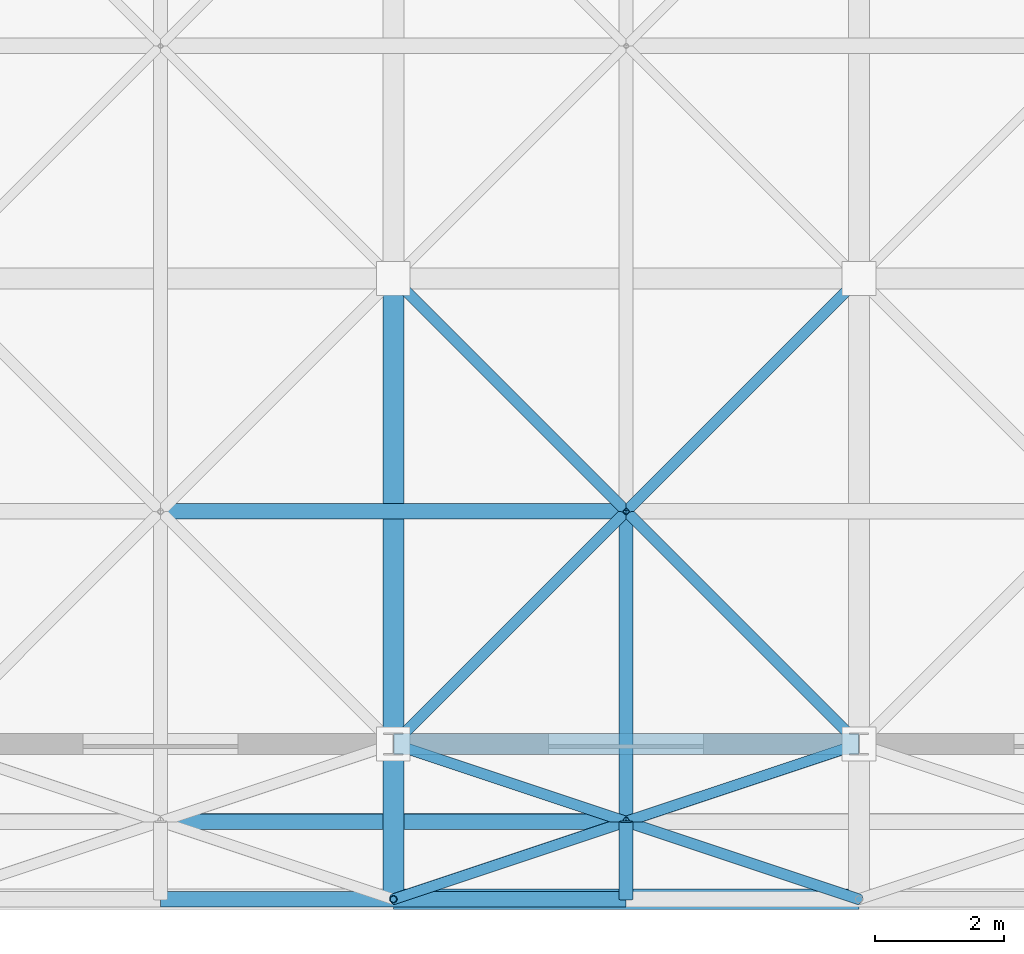
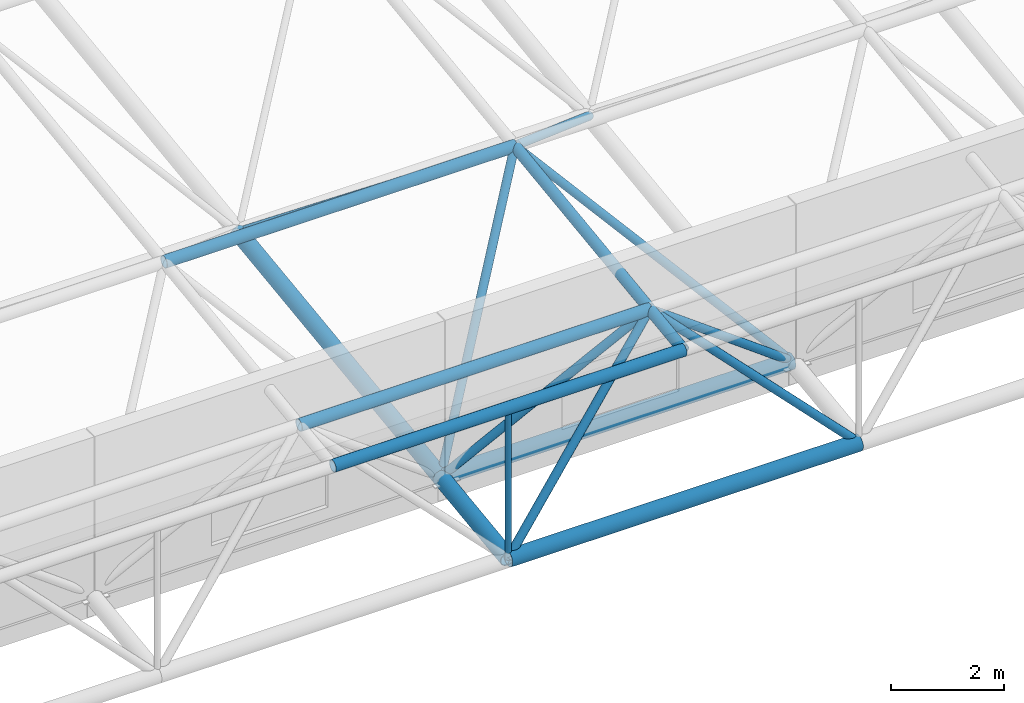
# One storey, part 46 of 103: 18 members.
"""IFC4 building model written with IfcOpenShell, lengths in metres."""

from ifc_helpers import new_model, si_unit, direction, frame, origin, origin_2d, place, context, subcontext, project, spatial, hollow_circle, extrude, material, material_profile, profile_set, type_object, element, save


model = new_model("IFC4")

# Units and contexts
model_context = context("Model", 3, precision=1e-05, world=origin(), true_north=direction((0.0, 1.0)))
body_context = subcontext(model_context, "Body", "Model", "MODEL_VIEW")
ifc_project = project(units=[si_unit("LENGTHUNIT", "METRE"), si_unit("AREAUNIT", "SQUARE_METRE"), si_unit("VOLUMEUNIT", "CUBIC_METRE"), si_unit("PLANEANGLEUNIT", "RADIAN"), si_unit("MASSUNIT", "GRAM", prefix="KILO")], contexts=[model_context])

# Site, building, storey
site_placement = place(None, origin())
site = spatial("IfcSite", under=ifc_project, at=site_placement, CompositionType="ELEMENT")
building_placement = place(site_placement, origin())
building = spatial("IfcBuilding", under=site, at=building_placement, Name="Thalmaran Polytechnic", CompositionType="ELEMENT")
storey_placement = place(building_placement, frame((0.0, 0.0, 14.39990234375)))
storey = spatial("IfcBuildingStorey", under=building, at=storey_placement, Name="L03", CompositionType="ELEMENT", Elevation=14.39990234375)

# Members
ifc_material = material(Name="Steel S355", Category="steel")
ifc_material_profile_1 = material_profile(ifc_material, hollow_circle(Radius=0.161865234375, WallThickness=0.012451171875, at=origin_2d()), Name="CHS 323.9x12.5")
ifc_profile_set_1 = profile_set([ifc_material_profile_1], Name="Steel S355")
member_type_1 = type_object("IfcMemberType", Name="MB-SFC0", PredefinedType="CHORD", material=ifc_profile_set_1)
member_1_placement = place(storey_placement, frame((136.800048828125, 0.0, 0.380126953125), z_axis=(1.0, 0.0, 0.0), x_axis=(0.0, 1.0, 0.0)))
element("IfcMember", 1, at=member_1_placement, inside=storey, type_object=member_type_1, Name="Space-Frame Bottom Chord X (4,1)", PredefinedType="CHORD", context=body_context, shape_type="SweptSolid", body=[
    extrude(hollow_circle(Radius=0.161865234375, WallThickness=0.012451171875, at=origin_2d()), origin(), (0.0, 0.0, 1.0), 7.199951171875),
])
ifc_material_profile_2 = material_profile(ifc_material, hollow_circle(Radius=0.122314453125, WallThickness=0.010009765625, at=origin_2d()), Name="CHS 244.5x10.0")
ifc_profile_set_2 = profile_set([ifc_material_profile_2], Name="Steel S355")
member_type_2 = type_object("IfcMemberType", Name="MB-SFC1", PredefinedType="CHORD", material=ifc_profile_set_2)
for number, where, z_axis, x_axis, name in (
    (2, (133.199951171875, -2.39990234375, 3.334228515625), (1.0, 0.0, 0.0), (0.0, 1.0, 0.0), "Space-Frame Top Chord X (4,0)"),
    (3, (133.199951171875, -1.199951171875, 3.4921875), (1.0, 0.0, 0.0), (0.0, 1.0, 0.0), "Space-Frame Top Chord X (4,1)"),
    (4, (133.199951171875, 3.60009765625, 4.1240234375), (1.0, 0.0, 0.0), (0.0, 1.0, 0.0), "Space-Frame Top Chord X (4,2)"),
):
    element("IfcMember", number, at=place(storey_placement, frame(where, z_axis=z_axis, x_axis=x_axis)), inside=storey, type_object=member_type_2, Name=name, PredefinedType="CHORD", context=body_context, shape_type="SweptSolid", body=[
        extrude(hollow_circle(Radius=0.122314453125, WallThickness=0.010009765625, at=origin_2d()), origin(), (0.0, 0.0, 1.0), 7.199951171875),
    ])
ifc_material_profile_3 = material_profile(ifc_material, hollow_circle(Radius=0.109619140625, WallThickness=0.010009765625, at=origin_2d()), Name="CHS 219.1x10.0")
ifc_profile_set_3 = profile_set([ifc_material_profile_3], Name="Steel S355")
member_type_3 = type_object("IfcMemberType", Name="MB-SFC2", PredefinedType="CHORD", material=ifc_profile_set_3)
member_2_placement = place(storey_placement, frame((140.39990234375, -2.39990234375, 3.334228515625), z_axis=(0.0, 0.99144674145, 0.130511910828), x_axis=(-1.0, 0.0, 0.0)))
element("IfcMember", 5, at=member_2_placement, inside=storey, type_object=member_type_3, Name="Space-Frame Top Chord Y (5,0)", PredefinedType="CHORD", context=body_context, shape_type="SweptSolid", body=[
    extrude(hollow_circle(Radius=0.109619140625, WallThickness=0.010009765625, at=origin_2d()), origin(), (0.0, 0.0, 1.0), 1.210205078125),
])
member_3_placement = place(storey_placement, frame((140.39990234375, -1.199951171875, 3.4921875), z_axis=(0.0, 0.991447600372, 0.130505385777), x_axis=(-1.0, 0.0, 0.0)))
element("IfcMember", 6, at=member_3_placement, inside=storey, type_object=member_type_3, Name="Space-Frame Top Chord Y (5,1)", PredefinedType="CHORD", context=body_context, shape_type="SweptSolid", body=[
    extrude(hollow_circle(Radius=0.109619140625, WallThickness=0.010009765625, at=origin_2d()), origin(), (0.0, 0.0, 1.0), 4.841552734375),
])
ifc_material_profile_4 = material_profile(ifc_material, hollow_circle(Radius=0.161865234375, WallThickness=0.012451171875, at=origin_2d()), Name="CHS 323.9x12.5")
ifc_profile_set_4 = profile_set([ifc_material_profile_4], Name="Steel S355")
member_type_4 = type_object("IfcMemberType", Name="MB-SFC4", PredefinedType="CHORD", material=ifc_profile_set_4)
member_4_placement = place(storey_placement, frame((136.800048828125, -2.39990234375, 0.064208984375), z_axis=(1.0, 0.0, 0.0), x_axis=(0.0, 1.0, 0.0)))
element("IfcMember", 7, at=member_4_placement, inside=storey, type_object=member_type_4, Name="Space-Frame Bottom Chord X (4,0)", PredefinedType="CHORD", context=body_context, shape_type="SweptSolid", body=[
    extrude(hollow_circle(Radius=0.161865234375, WallThickness=0.012451171875, at=origin_2d()), origin(), (0.0, 0.0, 1.0), 7.199951171875),
])
member_5_placement = place(storey_placement, frame((136.800048828125, -2.39990234375, 0.064208984375), z_axis=(0.0, 0.99144674145, 0.130511910828), x_axis=(-1.0, 0.0, 0.0)))
element("IfcMember", 8, at=member_5_placement, inside=storey, type_object=member_type_4, Name="Space-Frame Bottom Chord Y (4,0)", PredefinedType="CHORD", context=body_context, shape_type="SweptSolid", body=[
    extrude(hollow_circle(Radius=0.161865234375, WallThickness=0.012451171875, at=origin_2d()), origin(), (0.0, 0.0, 1.0), 2.420654296875),
])
member_6_placement = place(storey_placement, frame((136.800048828125, 0.0, 0.380126953125), z_axis=(0.0, 0.991447314079, 0.130507560722), x_axis=(-1.0, 0.0, 0.0)))
element("IfcMember", 9, at=member_6_placement, inside=storey, type_object=member_type_4, Name="Space-Frame Bottom Chord Y (4,1)", PredefinedType="CHORD", context=body_context, shape_type="SweptSolid", body=[
    extrude(hollow_circle(Radius=0.161865234375, WallThickness=0.012451171875, at=origin_2d()), origin(), (0.0, 0.0, 1.0), 7.261962890625),
])
ifc_material_profile_5 = material_profile(ifc_material, hollow_circle(Radius=0.084228515625, WallThickness=0.008056640625, at=origin_2d()), Name="CHS 168.3x8.0")
ifc_profile_set_5 = profile_set([ifc_material_profile_5], Name="Steel S355")
member_type_5 = type_object("IfcMemberType", Name="MB-SFD1", PredefinedType="BRACE", material=ifc_profile_set_5)
for number, where, z_axis, x_axis, name in (
    (10, (136.800048828125, -2.39990234375, 0.064208984375), (0.703963439546, 0.234654479849, 0.670352706319), (-0.316227766017, 0.948683298051, 0.0), "Space-Frame Web Diagonal (4,0)-1"),
    (11, (144.0, -2.39990234375, 0.064208984375), (-0.703987521352, 0.234646593479, 0.670330176815), (-0.316208465333, -0.948689731394, 0.0), "Space-Frame Web Diagonal (4,0)-2"),
):
    element("IfcMember", number, at=place(storey_placement, frame(where, z_axis=z_axis, x_axis=x_axis)), inside=storey, type_object=member_type_5, Name=name, PredefinedType="BRACE", context=body_context, shape_type="SweptSolid", body=[
        extrude(hollow_circle(Radius=0.084228515625, WallThickness=0.008056640625, at=origin_2d()), origin(), (0.0, 0.0, 1.0), 5.11376953125),
    ])
member_7_placement = place(storey_placement, frame((136.800048828125, 0.0, 0.380126953125), z_axis=(0.733538280282, -0.244512760094, 0.634141231519), x_axis=(0.316227766017, 0.948683298051, 0.0)))
element("IfcMember", 12, at=member_7_placement, inside=storey, type_object=member_type_5, Name="Space-Frame Web Diagonal (4,0)-3", PredefinedType="BRACE", context=body_context, shape_type="SweptSolid", body=[
    extrude(hollow_circle(Radius=0.084228515625, WallThickness=0.008056640625, at=origin_2d()), origin(), (0.0, 0.0, 1.0), 4.907470703125),
])
member_8_placement = place(storey_placement, frame((144.0, 0.0, 0.380126953125), z_axis=(-0.733561258825, -0.244503837456, 0.634118090753), x_axis=(0.316208465333, -0.948689731394, 0.0)))
element("IfcMember", 13, at=member_8_placement, inside=storey, type_object=member_type_5, Name="Space-Frame Web Diagonal (4,0)-4", PredefinedType="BRACE", context=body_context, shape_type="SweptSolid", body=[
    extrude(hollow_circle(Radius=0.084228515625, WallThickness=0.008056640625, at=origin_2d()), origin(), (0.0, 0.0, 1.0), 4.90771484375),
])
for number, where, z_axis, x_axis, name in (
    (14, (136.800048828125, 0.0, 0.380126953125), (0.569639794751, 0.569678427494, 0.592433113089), (-0.707130757816, 0.707082803744, 0.0), "Space-Frame Web Diagonal (4,1)-1"),
    (15, (144.0, 0.0, 0.380126953125), (-0.569665890713, 0.569665890713, 0.592420075552), (-0.707106781187, -0.707106781187, 0.0), "Space-Frame Web Diagonal (4,1)-2"),
):
    element("IfcMember", number, at=place(storey_placement, frame(where, z_axis=z_axis, x_axis=x_axis)), inside=storey, type_object=member_type_5, Name=name, PredefinedType="BRACE", context=body_context, shape_type="SweptSolid", body=[
        extrude(hollow_circle(Radius=0.084228515625, WallThickness=0.008056640625, at=origin_2d()), origin(), (0.0, 0.0, 1.0), 6.319580078125),
    ])
for number, where, z_axis, x_axis, name in (
    (16, (136.800048828125, 7.199951171875, 1.327880859375), (0.619777888784, -0.619777888784, 0.481404961699), (0.707106781187, 0.707106781187, 0.0), "Space-Frame Web Diagonal (4,1)-3"),
    (17, (144.0, 7.199951171875, 1.327880859375), (-0.619803774917, -0.619761742923, 0.481392420597), (0.707082803744, -0.707130757816, 0.0), "Space-Frame Web Diagonal (4,1)-4"),
):
    element("IfcMember", number, at=place(storey_placement, frame(where, z_axis=z_axis, x_axis=x_axis)), inside=storey, type_object=member_type_5, Name=name, PredefinedType="BRACE", context=body_context, shape_type="SweptSolid", body=[
        extrude(hollow_circle(Radius=0.084228515625, WallThickness=0.008056640625, at=origin_2d()), origin(), (0.0, 0.0, 1.0), 5.808349609375),
    ])
ifc_material_profile_6 = material_profile(ifc_material, hollow_circle(Radius=0.05712890625, WallThickness=0.00634765625, at=origin_2d()), Name="CHS 114.3x6.3")
ifc_profile_set_6 = profile_set([ifc_material_profile_6], Name="Steel S355")
member_type_6 = type_object("IfcMemberType", Name="MB-SFD3", PredefinedType="BRACE", material=ifc_profile_set_6)
member_9_placement = place(storey_placement, frame((136.800048828125, -2.39990234375, 0.064208984375), z_axis=(0.0, 0.0, 1.0), x_axis=(1.0, 0.0, 0.0)))
element("IfcMember", 18, at=member_9_placement, inside=storey, type_object=member_type_6, Name="Space-Frame Eave Post (4,0)", PredefinedType="BRACE", context=body_context, shape_type="SweptSolid", body=[
    extrude(hollow_circle(Radius=0.05712890625, WallThickness=0.00634765625, at=origin_2d()), origin(), (0.0, 0.0, 1.0), 3.27001953125),
])

save(model, "model.ifc")
